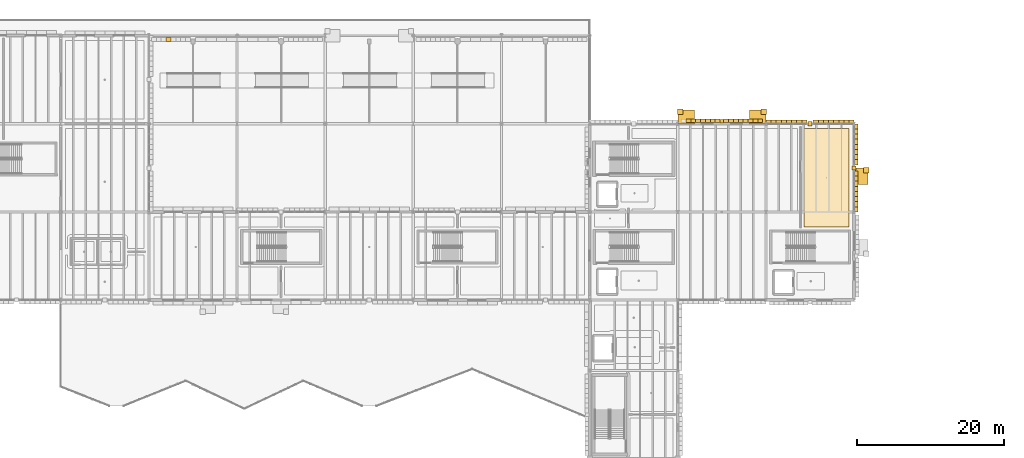
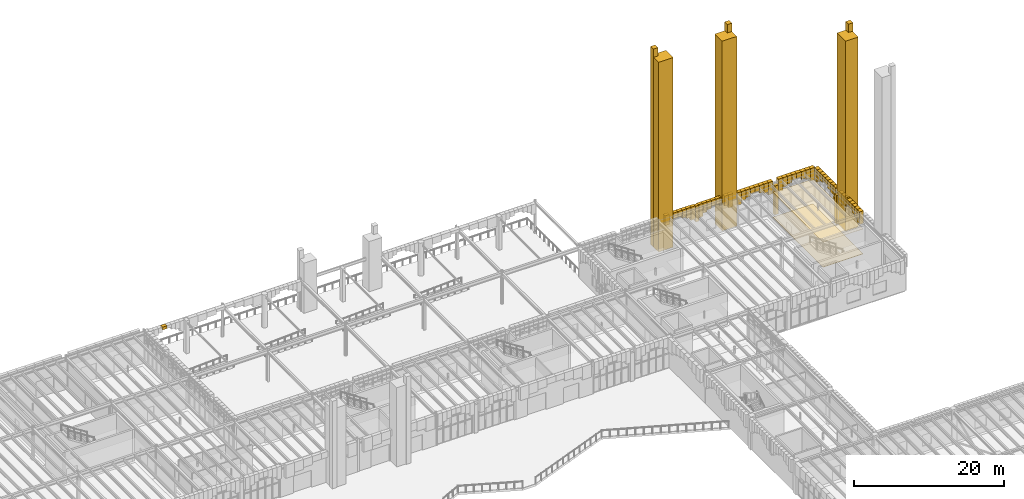
# One storey, part 101 of 103: 59 coverings.
"""IFC4 building model written with IfcOpenShell, lengths in metres."""

from ifc_helpers import new_model, si_unit, direction, frame, origin, place, context, subcontext, project, spatial, polyline, outline, extrude, material, layer, layer_set, type_object, element, save


model = new_model("IFC4")

# Units and contexts
model_context = context("Model", 3, precision=1e-05, world=origin(), true_north=direction((0.0, 1.0)))
body_context = subcontext(model_context, "Body", "Model", "MODEL_VIEW")
ifc_project = project(units=[si_unit("LENGTHUNIT", "METRE"), si_unit("AREAUNIT", "SQUARE_METRE"), si_unit("VOLUMEUNIT", "CUBIC_METRE"), si_unit("PLANEANGLEUNIT", "RADIAN"), si_unit("MASSUNIT", "GRAM", prefix="KILO")], contexts=[model_context])

# Site, building, storey
site_placement = place(None, origin())
site = spatial("IfcSite", under=ifc_project, at=site_placement, CompositionType="ELEMENT")
building_placement = place(site_placement, origin())
building = spatial("IfcBuilding", under=site, at=building_placement, Name="Zlatogorsky Bluff Art Gallery", CompositionType="ELEMENT")
storey_placement = place(building_placement, origin())
storey = spatial("IfcBuildingStorey", under=building, at=storey_placement, Name="L00", CompositionType="ELEMENT", Elevation=0.0)

# Coverings
ifc_material_1 = material(Name="Perforated Gypsum Acoustic Board", Category="gypsum")
ifc_layer_1 = layer(ifc_material_1, 0.0400390625)
ifc_layer_set_1 = layer_set([ifc_layer_1], Name="Acoustic Gallery Ceiling CLG-01")
covering_type_1 = type_object("IfcCoveringType", Name="Acoustic Gallery Ceiling CLG-01", PredefinedType="CEILING", material=ifc_layer_set_1)
covering_1_placement = place(storey_placement, frame((0.0, 0.0, 4.050048828125)))
element("IfcCovering", 1, at=covering_1_placement, inside=storey, type_object=covering_type_1, Name="Courtyard Artists' Studios acoustic ceiling", PredefinedType="CEILING", context=body_context, shape_type="SweptSolid", body=[
    extrude(outline(polyline([(149.16064453125, 93.9599609375), (149.16064453125, 107.330078125), (155.330078125, 107.330078125), (155.330078125, 93.9599609375), (149.16064453125, 93.9599609375)])), origin(), (0.0, 0.0, 1.0), 0.0400390625),
])
ifc_material_2 = material(Name="Honed Red Agra-Tone Quartzitic Sandstone", Category="masonry")
ifc_layer_2 = layer(ifc_material_2, 0.1201171875)
ifc_layer_set_2 = layer_set([ifc_layer_2], Name="Carved Sandstone Cladding CLD-02")
covering_type_2 = type_object("IfcCoveringType", Name="Carved Sandstone Cladding CLD-02", PredefinedType="CLADDING", material=ifc_layer_set_2)
covering_2_placement = place(storey_placement, frame((0.0, 0.0, 2.77001953125)))
element("IfcCovering", 2, at=covering_2_placement, inside=storey, type_object=covering_type_2, Name="Mughal blind-arch sandstone pilaster L00.N.11.9", PredefinedType="CLADDING", context=body_context, shape_type="SweptSolid", body=[
    extrude(outline(polyline([(137.760009765625, 108.080078125), (138.239990234375, 108.080078125), (138.239990234375, 108.56005859375), (137.760009765625, 108.56005859375), (137.760009765625, 108.080078125)])), origin(), (0.0, 0.0, 1.0), 2.590087890625),
])
covering_3_placement = place(storey_placement, frame((0.0, 0.0, 3.743896484375)))
element("IfcCovering", 3, at=covering_3_placement, inside=storey, type_object=covering_type_2, Name="Pointed Mughal arch voussoir spandrel WARCH-L00-N-11-09-A.2", PredefinedType="CLADDING", context=body_context, shape_type="SweptSolid", body=[
    extrude(outline(polyline([(133.112548828125, 108.169921875), (133.77490234375, 108.169921875), (133.77490234375, 108.659912109375), (133.112548828125, 108.659912109375), (133.112548828125, 108.169921875)])), origin(), (0.0, 0.0, 1.0), 1.6162109375),
])
covering_4_placement = place(storey_placement, frame((0.0, 0.0, 4.03662109375)))
element("IfcCovering", 4, at=covering_4_placement, inside=storey, type_object=covering_type_2, Name="Pointed Mughal arch voussoir spandrel WARCH-L00-N-11-09-A.3", PredefinedType="CLADDING", context=body_context, shape_type="SweptSolid", body=[
    extrude(outline(polyline([(133.77490234375, 108.169921875), (134.4375, 108.169921875), (134.4375, 108.659912109375), (133.77490234375, 108.659912109375), (133.77490234375, 108.169921875)])), origin(), (0.0, 0.0, 1.0), 1.323486328125),
])
covering_5_placement = place(storey_placement, frame((0.0, 0.0, 4.405517578125)))
element("IfcCovering", 5, at=covering_5_placement, inside=storey, type_object=covering_type_2, Name="Pointed Mughal arch voussoir spandrel WARCH-L00-N-11-09-A.4", PredefinedType="CLADDING", context=body_context, shape_type="SweptSolid", body=[
    extrude(outline(polyline([(134.4375, 108.169921875), (135.10009765625, 108.169921875), (135.10009765625, 108.659912109375), (134.4375, 108.659912109375), (134.4375, 108.169921875)])), origin(), (0.0, 0.0, 1.0), 0.95458984375),
])
covering_6_placement = place(storey_placement, frame((0.0, 0.0, 4.405517578125)))
element("IfcCovering", 6, at=covering_6_placement, inside=storey, type_object=covering_type_2, Name="Pointed Mughal arch voussoir spandrel WARCH-L00-N-11-09-A.5", PredefinedType="CLADDING", context=body_context, shape_type="SweptSolid", body=[
    extrude(outline(polyline([(135.10009765625, 108.169921875), (135.762451171875, 108.169921875), (135.762451171875, 108.659912109375), (135.10009765625, 108.659912109375), (135.10009765625, 108.169921875)])), origin(), (0.0, 0.0, 1.0), 0.95458984375),
])
covering_7_placement = place(storey_placement, frame((0.0, 0.0, 4.03662109375)))
element("IfcCovering", 7, at=covering_7_placement, inside=storey, type_object=covering_type_2, Name="Pointed Mughal arch voussoir spandrel WARCH-L00-N-11-09-A.6", PredefinedType="CLADDING", context=body_context, shape_type="SweptSolid", body=[
    extrude(outline(polyline([(135.762451171875, 108.169921875), (136.425048828125, 108.169921875), (136.425048828125, 108.659912109375), (135.762451171875, 108.659912109375), (135.762451171875, 108.169921875)])), origin(), (0.0, 0.0, 1.0), 1.323486328125),
])
covering_8_placement = place(storey_placement, frame((0.0, 0.0, 3.743896484375)))
element("IfcCovering", 8, at=covering_8_placement, inside=storey, type_object=covering_type_2, Name="Pointed Mughal arch voussoir spandrel WARCH-L00-N-11-09-A.7", PredefinedType="CLADDING", context=body_context, shape_type="SweptSolid", body=[
    extrude(outline(polyline([(136.425048828125, 108.169921875), (137.08740234375, 108.169921875), (137.08740234375, 108.659912109375), (136.425048828125, 108.659912109375), (136.425048828125, 108.169921875)])), origin(), (0.0, 0.0, 1.0), 1.6162109375),
])
covering_9_placement = place(storey_placement, frame((0.0, 0.0, 3.21240234375)))
element("IfcCovering", 9, at=covering_9_placement, inside=storey, type_object=covering_type_2, Name="Pointed Mughal arch voussoir spandrel WARCH-L00-N-11-09-A.8", PredefinedType="CLADDING", context=body_context, shape_type="SweptSolid", body=[
    extrude(outline(polyline([(137.08740234375, 108.169921875), (137.75, 108.169921875), (137.75, 108.659912109375), (137.08740234375, 108.659912109375), (137.08740234375, 108.169921875)])), origin(), (0.0, 0.0, 1.0), 2.147705078125),
])
covering_10_placement = place(storey_placement, frame((0.0, 0.0, 3.21240234375)))
element("IfcCovering", 10, at=covering_10_placement, inside=storey, type_object=covering_type_2, Name="Pointed Mughal arch voussoir spandrel WARCH-L00-N-11-09-B.1", PredefinedType="CLADDING", context=body_context, shape_type="SweptSolid", body=[
    extrude(outline(polyline([(138.25, 108.169921875), (138.91259765625, 108.169921875), (138.91259765625, 108.659912109375), (138.25, 108.659912109375), (138.25, 108.169921875)])), origin(), (0.0, 0.0, 1.0), 2.147705078125),
])
covering_11_placement = place(storey_placement, frame((0.0, 0.0, 3.743896484375)))
element("IfcCovering", 11, at=covering_11_placement, inside=storey, type_object=covering_type_2, Name="Pointed Mughal arch voussoir spandrel WARCH-L00-N-11-09-B.2", PredefinedType="CLADDING", context=body_context, shape_type="SweptSolid", body=[
    extrude(outline(polyline([(138.91259765625, 108.169921875), (139.574951171875, 108.169921875), (139.574951171875, 108.659912109375), (138.91259765625, 108.659912109375), (138.91259765625, 108.169921875)])), origin(), (0.0, 0.0, 1.0), 1.6162109375),
])
covering_12_placement = place(storey_placement, frame((0.0, 0.0, 4.03662109375)))
element("IfcCovering", 12, at=covering_12_placement, inside=storey, type_object=covering_type_2, Name="Pointed Mughal arch voussoir spandrel WARCH-L00-N-11-09-B.3", PredefinedType="CLADDING", context=body_context, shape_type="SweptSolid", body=[
    extrude(outline(polyline([(139.574951171875, 108.169921875), (140.237548828125, 108.169921875), (140.237548828125, 108.659912109375), (139.574951171875, 108.659912109375), (139.574951171875, 108.169921875)])), origin(), (0.0, 0.0, 1.0), 1.323486328125),
])
covering_13_placement = place(storey_placement, frame((0.0, 0.0, 4.405517578125)))
element("IfcCovering", 13, at=covering_13_placement, inside=storey, type_object=covering_type_2, Name="Pointed Mughal arch voussoir spandrel WARCH-L00-N-11-09-B.4", PredefinedType="CLADDING", context=body_context, shape_type="SweptSolid", body=[
    extrude(outline(polyline([(140.237548828125, 108.169921875), (140.89990234375, 108.169921875), (140.89990234375, 108.659912109375), (140.237548828125, 108.659912109375), (140.237548828125, 108.169921875)])), origin(), (0.0, 0.0, 1.0), 0.95458984375),
])
covering_14_placement = place(storey_placement, frame((0.0, 0.0, 4.405517578125)))
element("IfcCovering", 14, at=covering_14_placement, inside=storey, type_object=covering_type_2, Name="Pointed Mughal arch voussoir spandrel WARCH-L00-N-11-09-B.5", PredefinedType="CLADDING", context=body_context, shape_type="SweptSolid", body=[
    extrude(outline(polyline([(140.89990234375, 108.169921875), (141.5625, 108.169921875), (141.5625, 108.659912109375), (140.89990234375, 108.659912109375), (140.89990234375, 108.169921875)])), origin(), (0.0, 0.0, 1.0), 0.95458984375),
])
covering_15_placement = place(storey_placement, frame((0.0, 0.0, 4.03662109375)))
element("IfcCovering", 15, at=covering_15_placement, inside=storey, type_object=covering_type_2, Name="Pointed Mughal arch voussoir spandrel WARCH-L00-N-11-09-B.6", PredefinedType="CLADDING", context=body_context, shape_type="SweptSolid", body=[
    extrude(outline(polyline([(141.5625, 108.169921875), (142.22509765625, 108.169921875), (142.22509765625, 108.659912109375), (141.5625, 108.659912109375), (141.5625, 108.169921875)])), origin(), (0.0, 0.0, 1.0), 1.323486328125),
])
covering_16_placement = place(storey_placement, frame((0.0, 0.0, 3.743896484375)))
element("IfcCovering", 16, at=covering_16_placement, inside=storey, type_object=covering_type_2, Name="Pointed Mughal arch voussoir spandrel WARCH-L00-N-11-09-B.7", PredefinedType="CLADDING", context=body_context, shape_type="SweptSolid", body=[
    extrude(outline(polyline([(142.22509765625, 108.169921875), (142.887451171875, 108.169921875), (142.887451171875, 108.659912109375), (142.22509765625, 108.659912109375), (142.22509765625, 108.169921875)])), origin(), (0.0, 0.0, 1.0), 1.6162109375),
])
covering_17_placement = place(storey_placement, frame((0.0, 0.0, 3.21240234375)))
element("IfcCovering", 17, at=covering_17_placement, inside=storey, type_object=covering_type_2, Name="Pointed Mughal arch voussoir spandrel WARCH-L00-N-11-09-B.8", PredefinedType="CLADDING", context=body_context, shape_type="SweptSolid", body=[
    extrude(outline(polyline([(142.887451171875, 108.169921875), (143.550048828125, 108.169921875), (143.550048828125, 108.659912109375), (142.887451171875, 108.659912109375), (142.887451171875, 108.169921875)])), origin(), (0.0, 0.0, 1.0), 2.147705078125),
])
covering_18_placement = place(storey_placement, frame((0.0, 0.0, -0.030029296875)))
element("IfcCovering", 18, at=covering_18_placement, inside=storey, type_object=covering_type_2, Name="Mughal dalan central sandstone pier L00 N 12.9", PredefinedType="CLADDING", context=body_context, shape_type="SweptSolid", body=[
    extrude(outline(polyline([(149.719970703125, 107.719970703125), (150.280029296875, 107.719970703125), (150.280029296875, 108.280029296875), (149.719970703125, 108.280029296875), (149.719970703125, 107.719970703125)])), origin(), (0.0, 0.0, 1.0), 4.68994140625),
])
covering_19_placement = place(storey_placement, frame((0.0, 0.0, 3.327880859375)))
element("IfcCovering", 19, at=covering_19_placement, inside=storey, type_object=covering_type_2, Name="Pointed Mughal arch voussoir spandrel ARCH-CW-L00-N-12-09-A.1", PredefinedType="CLADDING", context=body_context, shape_type="SweptSolid", body=[
    extrude(outline(polyline([(150.419921875, 107.969970703125), (151.117431640625, 107.969970703125), (151.117431640625, 108.5400390625), (150.419921875, 108.5400390625), (150.419921875, 107.969970703125)])), origin(), (0.0, 0.0, 1.0), 2.0322265625),
])
covering_20_placement = place(storey_placement, frame((0.0, 0.0, 3.82958984375)))
element("IfcCovering", 20, at=covering_20_placement, inside=storey, type_object=covering_type_2, Name="Pointed Mughal arch voussoir spandrel ARCH-CW-L00-N-12-09-A.2", PredefinedType="CLADDING", context=body_context, shape_type="SweptSolid", body=[
    extrude(outline(polyline([(151.117431640625, 107.969970703125), (151.81494140625, 107.969970703125), (151.81494140625, 108.5400390625), (151.117431640625, 108.5400390625), (151.117431640625, 107.969970703125)])), origin(), (0.0, 0.0, 1.0), 1.530517578125),
])
covering_21_placement = place(storey_placement, frame((0.0, 0.0, 4.1064453125)))
element("IfcCovering", 21, at=covering_21_placement, inside=storey, type_object=covering_type_2, Name="Pointed Mughal arch voussoir spandrel ARCH-CW-L00-N-12-09-A.3", PredefinedType="CLADDING", context=body_context, shape_type="SweptSolid", body=[
    extrude(outline(polyline([(151.81494140625, 107.969970703125), (152.512451171875, 107.969970703125), (152.512451171875, 108.5400390625), (151.81494140625, 108.5400390625), (151.81494140625, 107.969970703125)])), origin(), (0.0, 0.0, 1.0), 1.253662109375),
])
covering_22_placement = place(storey_placement, frame((0.0, 0.0, 4.45458984375)))
element("IfcCovering", 22, at=covering_22_placement, inside=storey, type_object=covering_type_2, Name="Pointed Mughal arch voussoir spandrel ARCH-CW-L00-N-12-09-A.4", PredefinedType="CLADDING", context=body_context, shape_type="SweptSolid", body=[
    extrude(outline(polyline([(152.512451171875, 107.969970703125), (153.2099609375, 107.969970703125), (153.2099609375, 108.5400390625), (152.512451171875, 108.5400390625), (152.512451171875, 107.969970703125)])), origin(), (0.0, 0.0, 1.0), 0.905517578125),
])
covering_23_placement = place(storey_placement, frame((0.0, 0.0, 4.45458984375)))
element("IfcCovering", 23, at=covering_23_placement, inside=storey, type_object=covering_type_2, Name="Pointed Mughal arch voussoir spandrel ARCH-CW-L00-N-12-09-A.5", PredefinedType="CLADDING", context=body_context, shape_type="SweptSolid", body=[
    extrude(outline(polyline([(153.2099609375, 107.969970703125), (153.907470703125, 107.969970703125), (153.907470703125, 108.5400390625), (153.2099609375, 108.5400390625), (153.2099609375, 107.969970703125)])), origin(), (0.0, 0.0, 1.0), 0.905517578125),
])
covering_24_placement = place(storey_placement, frame((0.0, 0.0, 4.1064453125)))
element("IfcCovering", 24, at=covering_24_placement, inside=storey, type_object=covering_type_2, Name="Pointed Mughal arch voussoir spandrel ARCH-CW-L00-N-12-09-A.6", PredefinedType="CLADDING", context=body_context, shape_type="SweptSolid", body=[
    extrude(outline(polyline([(153.907470703125, 107.969970703125), (154.60498046875, 107.969970703125), (154.60498046875, 108.5400390625), (153.907470703125, 108.5400390625), (153.907470703125, 107.969970703125)])), origin(), (0.0, 0.0, 1.0), 1.253662109375),
])
covering_25_placement = place(storey_placement, frame((0.0, 0.0, 3.82958984375)))
element("IfcCovering", 25, at=covering_25_placement, inside=storey, type_object=covering_type_2, Name="Pointed Mughal arch voussoir spandrel ARCH-CW-L00-N-12-09-A.7", PredefinedType="CLADDING", context=body_context, shape_type="SweptSolid", body=[
    extrude(outline(polyline([(154.60498046875, 107.969970703125), (155.302490234375, 107.969970703125), (155.302490234375, 108.5400390625), (154.60498046875, 108.5400390625), (154.60498046875, 107.969970703125)])), origin(), (0.0, 0.0, 1.0), 1.530517578125),
])
covering_26_placement = place(storey_placement, frame((0.0, 0.0, 3.327880859375)))
element("IfcCovering", 26, at=covering_26_placement, inside=storey, type_object=covering_type_2, Name="Pointed Mughal arch voussoir spandrel ARCH-CW-L00-N-12-09-A.8", PredefinedType="CLADDING", context=body_context, shape_type="SweptSolid", body=[
    extrude(outline(polyline([(155.302490234375, 107.969970703125), (156.0, 107.969970703125), (156.0, 108.5400390625), (155.302490234375, 108.5400390625), (155.302490234375, 107.969970703125)])), origin(), (0.0, 0.0, 1.0), 2.0322265625),
])
covering_27_placement = place(storey_placement, frame((0.0, 0.0, 3.327880859375)))
element("IfcCovering", 27, at=covering_27_placement, inside=storey, type_object=covering_type_2, Name="Pointed Mughal arch voussoir spandrel ARCH-CW-L00-N-12-09-B.1", PredefinedType="CLADDING", context=body_context, shape_type="SweptSolid", body=[
    extrude(outline(polyline([(144.0, 107.969970703125), (144.697509765625, 107.969970703125), (144.697509765625, 108.5400390625), (144.0, 108.5400390625), (144.0, 107.969970703125)])), origin(), (0.0, 0.0, 1.0), 2.0322265625),
])
covering_28_placement = place(storey_placement, frame((0.0, 0.0, 3.82958984375)))
element("IfcCovering", 28, at=covering_28_placement, inside=storey, type_object=covering_type_2, Name="Pointed Mughal arch voussoir spandrel ARCH-CW-L00-N-12-09-B.2", PredefinedType="CLADDING", context=body_context, shape_type="SweptSolid", body=[
    extrude(outline(polyline([(144.697509765625, 107.969970703125), (145.39501953125, 107.969970703125), (145.39501953125, 108.5400390625), (144.697509765625, 108.5400390625), (144.697509765625, 107.969970703125)])), origin(), (0.0, 0.0, 1.0), 1.530517578125),
])
covering_29_placement = place(storey_placement, frame((0.0, 0.0, 4.1064453125)))
element("IfcCovering", 29, at=covering_29_placement, inside=storey, type_object=covering_type_2, Name="Pointed Mughal arch voussoir spandrel ARCH-CW-L00-N-12-09-B.3", PredefinedType="CLADDING", context=body_context, shape_type="SweptSolid", body=[
    extrude(outline(polyline([(145.39501953125, 107.969970703125), (146.092529296875, 107.969970703125), (146.092529296875, 108.5400390625), (145.39501953125, 108.5400390625), (145.39501953125, 107.969970703125)])), origin(), (0.0, 0.0, 1.0), 1.253662109375),
])
covering_30_placement = place(storey_placement, frame((0.0, 0.0, 4.45458984375)))
element("IfcCovering", 30, at=covering_30_placement, inside=storey, type_object=covering_type_2, Name="Pointed Mughal arch voussoir spandrel ARCH-CW-L00-N-12-09-B.4", PredefinedType="CLADDING", context=body_context, shape_type="SweptSolid", body=[
    extrude(outline(polyline([(146.092529296875, 107.969970703125), (146.7900390625, 107.969970703125), (146.7900390625, 108.5400390625), (146.092529296875, 108.5400390625), (146.092529296875, 107.969970703125)])), origin(), (0.0, 0.0, 1.0), 0.905517578125),
])
covering_31_placement = place(storey_placement, frame((0.0, 0.0, 4.45458984375)))
element("IfcCovering", 31, at=covering_31_placement, inside=storey, type_object=covering_type_2, Name="Pointed Mughal arch voussoir spandrel ARCH-CW-L00-N-12-09-B.5", PredefinedType="CLADDING", context=body_context, shape_type="SweptSolid", body=[
    extrude(outline(polyline([(146.7900390625, 107.969970703125), (147.487548828125, 107.969970703125), (147.487548828125, 108.5400390625), (146.7900390625, 108.5400390625), (146.7900390625, 107.969970703125)])), origin(), (0.0, 0.0, 1.0), 0.905517578125),
])
covering_32_placement = place(storey_placement, frame((0.0, 0.0, 4.1064453125)))
element("IfcCovering", 32, at=covering_32_placement, inside=storey, type_object=covering_type_2, Name="Pointed Mughal arch voussoir spandrel ARCH-CW-L00-N-12-09-B.6", PredefinedType="CLADDING", context=body_context, shape_type="SweptSolid", body=[
    extrude(outline(polyline([(147.487548828125, 107.969970703125), (148.18505859375, 107.969970703125), (148.18505859375, 108.5400390625), (147.487548828125, 108.5400390625), (147.487548828125, 107.969970703125)])), origin(), (0.0, 0.0, 1.0), 1.253662109375),
])
covering_33_placement = place(storey_placement, frame((0.0, 0.0, 3.82958984375)))
element("IfcCovering", 33, at=covering_33_placement, inside=storey, type_object=covering_type_2, Name="Pointed Mughal arch voussoir spandrel ARCH-CW-L00-N-12-09-B.7", PredefinedType="CLADDING", context=body_context, shape_type="SweptSolid", body=[
    extrude(outline(polyline([(148.18505859375, 107.969970703125), (148.882568359375, 107.969970703125), (148.882568359375, 108.5400390625), (148.18505859375, 108.5400390625), (148.18505859375, 107.969970703125)])), origin(), (0.0, 0.0, 1.0), 1.530517578125),
])
covering_34_placement = place(storey_placement, frame((0.0, 0.0, 3.327880859375)))
element("IfcCovering", 34, at=covering_34_placement, inside=storey, type_object=covering_type_2, Name="Pointed Mughal arch voussoir spandrel ARCH-CW-L00-N-12-09-B.8", PredefinedType="CLADDING", context=body_context, shape_type="SweptSolid", body=[
    extrude(outline(polyline([(148.882568359375, 107.969970703125), (149.580078125, 107.969970703125), (149.580078125, 108.5400390625), (148.882568359375, 108.5400390625), (148.882568359375, 107.969970703125)])), origin(), (0.0, 0.0, 1.0), 2.0322265625),
])
covering_35_placement = place(storey_placement, frame((0.0, 0.0, -0.030029296875)))
element("IfcCovering", 35, at=covering_35_placement, inside=storey, type_object=covering_type_2, Name="Mughal dalan central sandstone pier L00 E 12.9", PredefinedType="CLADDING", context=body_context, shape_type="SweptSolid", body=[
    extrude(outline(polyline([(155.719970703125, 101.719970703125), (156.280029296875, 101.719970703125), (156.280029296875, 102.280029296875), (155.719970703125, 102.280029296875), (155.719970703125, 101.719970703125)])), origin(), (0.0, 0.0, 1.0), 4.68994140625),
])
covering_36_placement = place(storey_placement, frame((0.0, 0.0, 3.327880859375)))
element("IfcCovering", 36, at=covering_36_placement, inside=storey, type_object=covering_type_2, Name="Pointed Mughal arch voussoir spandrel ARCH-CW-L00-E-12-09-A.1", PredefinedType="CLADDING", context=body_context, shape_type="SweptSolid", body=[
    extrude(outline(polyline([(155.969970703125, 96.0), (155.969970703125, 96.697509765625), (156.5400390625, 96.697509765625), (156.5400390625, 96.0), (155.969970703125, 96.0)])), origin(), (0.0, 0.0, 1.0), 2.0322265625),
])
covering_37_placement = place(storey_placement, frame((0.0, 0.0, 3.82958984375)))
element("IfcCovering", 37, at=covering_37_placement, inside=storey, type_object=covering_type_2, Name="Pointed Mughal arch voussoir spandrel ARCH-CW-L00-E-12-09-A.2", PredefinedType="CLADDING", context=body_context, shape_type="SweptSolid", body=[
    extrude(outline(polyline([(155.969970703125, 96.697509765625), (155.969970703125, 97.39501953125), (156.5400390625, 97.39501953125), (156.5400390625, 96.697509765625), (155.969970703125, 96.697509765625)])), origin(), (0.0, 0.0, 1.0), 1.530517578125),
])
covering_38_placement = place(storey_placement, frame((0.0, 0.0, 4.1064453125)))
element("IfcCovering", 38, at=covering_38_placement, inside=storey, type_object=covering_type_2, Name="Pointed Mughal arch voussoir spandrel ARCH-CW-L00-E-12-09-A.3", PredefinedType="CLADDING", context=body_context, shape_type="SweptSolid", body=[
    extrude(outline(polyline([(155.969970703125, 97.39501953125), (155.969970703125, 98.092529296875), (156.5400390625, 98.092529296875), (156.5400390625, 97.39501953125), (155.969970703125, 97.39501953125)])), origin(), (0.0, 0.0, 1.0), 1.253662109375),
])
covering_39_placement = place(storey_placement, frame((0.0, 0.0, 4.45458984375)))
element("IfcCovering", 39, at=covering_39_placement, inside=storey, type_object=covering_type_2, Name="Pointed Mughal arch voussoir spandrel ARCH-CW-L00-E-12-09-A.4", PredefinedType="CLADDING", context=body_context, shape_type="SweptSolid", body=[
    extrude(outline(polyline([(155.969970703125, 98.092529296875), (155.969970703125, 98.7900390625), (156.5400390625, 98.7900390625), (156.5400390625, 98.092529296875), (155.969970703125, 98.092529296875)])), origin(), (0.0, 0.0, 1.0), 0.905517578125),
])
covering_40_placement = place(storey_placement, frame((0.0, 0.0, 4.45458984375)))
element("IfcCovering", 40, at=covering_40_placement, inside=storey, type_object=covering_type_2, Name="Pointed Mughal arch voussoir spandrel ARCH-CW-L00-E-12-09-A.5", PredefinedType="CLADDING", context=body_context, shape_type="SweptSolid", body=[
    extrude(outline(polyline([(155.969970703125, 98.7900390625), (155.969970703125, 99.487548828125), (156.5400390625, 99.487548828125), (156.5400390625, 98.7900390625), (155.969970703125, 98.7900390625)])), origin(), (0.0, 0.0, 1.0), 0.905517578125),
])
covering_41_placement = place(storey_placement, frame((0.0, 0.0, 4.1064453125)))
element("IfcCovering", 41, at=covering_41_placement, inside=storey, type_object=covering_type_2, Name="Pointed Mughal arch voussoir spandrel ARCH-CW-L00-E-12-09-A.6", PredefinedType="CLADDING", context=body_context, shape_type="SweptSolid", body=[
    extrude(outline(polyline([(155.969970703125, 99.487548828125), (155.969970703125, 100.18505859375), (156.5400390625, 100.18505859375), (156.5400390625, 99.487548828125), (155.969970703125, 99.487548828125)])), origin(), (0.0, 0.0, 1.0), 1.253662109375),
])
covering_42_placement = place(storey_placement, frame((0.0, 0.0, 3.82958984375)))
element("IfcCovering", 42, at=covering_42_placement, inside=storey, type_object=covering_type_2, Name="Pointed Mughal arch voussoir spandrel ARCH-CW-L00-E-12-09-A.7", PredefinedType="CLADDING", context=body_context, shape_type="SweptSolid", body=[
    extrude(outline(polyline([(155.969970703125, 100.18505859375), (155.969970703125, 100.882568359375), (156.5400390625, 100.882568359375), (156.5400390625, 100.18505859375), (155.969970703125, 100.18505859375)])), origin(), (0.0, 0.0, 1.0), 1.530517578125),
])
covering_43_placement = place(storey_placement, frame((0.0, 0.0, 3.327880859375)))
element("IfcCovering", 43, at=covering_43_placement, inside=storey, type_object=covering_type_2, Name="Pointed Mughal arch voussoir spandrel ARCH-CW-L00-E-12-09-A.8", PredefinedType="CLADDING", context=body_context, shape_type="SweptSolid", body=[
    extrude(outline(polyline([(155.969970703125, 100.882568359375), (155.969970703125, 101.580078125), (156.5400390625, 101.580078125), (156.5400390625, 100.882568359375), (155.969970703125, 100.882568359375)])), origin(), (0.0, 0.0, 1.0), 2.0322265625),
])
covering_44_placement = place(storey_placement, frame((0.0, 0.0, 3.327880859375)))
element("IfcCovering", 44, at=covering_44_placement, inside=storey, type_object=covering_type_2, Name="Pointed Mughal arch voussoir spandrel ARCH-CW-L00-E-12-09-B.1", PredefinedType="CLADDING", context=body_context, shape_type="SweptSolid", body=[
    extrude(outline(polyline([(155.969970703125, 102.419921875), (155.969970703125, 103.117431640625), (156.5400390625, 103.117431640625), (156.5400390625, 102.419921875), (155.969970703125, 102.419921875)])), origin(), (0.0, 0.0, 1.0), 2.0322265625),
])
covering_45_placement = place(storey_placement, frame((0.0, 0.0, 3.82958984375)))
element("IfcCovering", 45, at=covering_45_placement, inside=storey, type_object=covering_type_2, Name="Pointed Mughal arch voussoir spandrel ARCH-CW-L00-E-12-09-B.2", PredefinedType="CLADDING", context=body_context, shape_type="SweptSolid", body=[
    extrude(outline(polyline([(155.969970703125, 103.117431640625), (155.969970703125, 103.81494140625), (156.5400390625, 103.81494140625), (156.5400390625, 103.117431640625), (155.969970703125, 103.117431640625)])), origin(), (0.0, 0.0, 1.0), 1.530517578125),
])
covering_46_placement = place(storey_placement, frame((0.0, 0.0, 4.1064453125)))
element("IfcCovering", 46, at=covering_46_placement, inside=storey, type_object=covering_type_2, Name="Pointed Mughal arch voussoir spandrel ARCH-CW-L00-E-12-09-B.3", PredefinedType="CLADDING", context=body_context, shape_type="SweptSolid", body=[
    extrude(outline(polyline([(155.969970703125, 103.81494140625), (155.969970703125, 104.512451171875), (156.5400390625, 104.512451171875), (156.5400390625, 103.81494140625), (155.969970703125, 103.81494140625)])), origin(), (0.0, 0.0, 1.0), 1.253662109375),
])
covering_47_placement = place(storey_placement, frame((0.0, 0.0, 4.45458984375)))
element("IfcCovering", 47, at=covering_47_placement, inside=storey, type_object=covering_type_2, Name="Pointed Mughal arch voussoir spandrel ARCH-CW-L00-E-12-09-B.4", PredefinedType="CLADDING", context=body_context, shape_type="SweptSolid", body=[
    extrude(outline(polyline([(155.969970703125, 104.512451171875), (155.969970703125, 105.2099609375), (156.5400390625, 105.2099609375), (156.5400390625, 104.512451171875), (155.969970703125, 104.512451171875)])), origin(), (0.0, 0.0, 1.0), 0.905517578125),
])
covering_48_placement = place(storey_placement, frame((0.0, 0.0, 4.45458984375)))
element("IfcCovering", 48, at=covering_48_placement, inside=storey, type_object=covering_type_2, Name="Pointed Mughal arch voussoir spandrel ARCH-CW-L00-E-12-09-B.5", PredefinedType="CLADDING", context=body_context, shape_type="SweptSolid", body=[
    extrude(outline(polyline([(155.969970703125, 105.2099609375), (155.969970703125, 105.907470703125), (156.5400390625, 105.907470703125), (156.5400390625, 105.2099609375), (155.969970703125, 105.2099609375)])), origin(), (0.0, 0.0, 1.0), 0.905517578125),
])
covering_49_placement = place(storey_placement, frame((0.0, 0.0, 4.1064453125)))
element("IfcCovering", 49, at=covering_49_placement, inside=storey, type_object=covering_type_2, Name="Pointed Mughal arch voussoir spandrel ARCH-CW-L00-E-12-09-B.6", PredefinedType="CLADDING", context=body_context, shape_type="SweptSolid", body=[
    extrude(outline(polyline([(155.969970703125, 105.907470703125), (155.969970703125, 106.60498046875), (156.5400390625, 106.60498046875), (156.5400390625, 105.907470703125), (155.969970703125, 105.907470703125)])), origin(), (0.0, 0.0, 1.0), 1.253662109375),
])
covering_50_placement = place(storey_placement, frame((0.0, 0.0, 3.82958984375)))
element("IfcCovering", 50, at=covering_50_placement, inside=storey, type_object=covering_type_2, Name="Pointed Mughal arch voussoir spandrel ARCH-CW-L00-E-12-09-B.7", PredefinedType="CLADDING", context=body_context, shape_type="SweptSolid", body=[
    extrude(outline(polyline([(155.969970703125, 106.60498046875), (155.969970703125, 107.302490234375), (156.5400390625, 107.302490234375), (156.5400390625, 106.60498046875), (155.969970703125, 106.60498046875)])), origin(), (0.0, 0.0, 1.0), 1.530517578125),
])
covering_51_placement = place(storey_placement, frame((0.0, 0.0, 3.327880859375)))
element("IfcCovering", 51, at=covering_51_placement, inside=storey, type_object=covering_type_2, Name="Pointed Mughal arch voussoir spandrel ARCH-CW-L00-E-12-09-B.8", PredefinedType="CLADDING", context=body_context, shape_type="SweptSolid", body=[
    extrude(outline(polyline([(155.969970703125, 107.302490234375), (155.969970703125, 108.0), (156.5400390625, 108.0), (156.5400390625, 107.302490234375), (155.969970703125, 107.302490234375)])), origin(), (0.0, 0.0, 1.0), 2.0322265625),
])
covering_52_placement = place(storey_placement, origin())
element("IfcCovering", 52, at=covering_52_placement, inside=storey, type_object=covering_type_2, Name="Monumental Pishtaq portal pier PISHTAQ-NE-NORTH.L", PredefinedType="CLADDING", context=body_context, shape_type="SweptSolid", body=[
    extrude(outline(polyline([(132.0, 107.9599609375), (134.25, 107.9599609375), (134.25, 109.89990234375), (132.0, 109.89990234375), (132.0, 107.9599609375)])), origin(), (0.0, 0.0, 1.0), 30.800048828125),
])
covering_53_placement = place(storey_placement, origin())
element("IfcCovering", 53, at=covering_53_placement, inside=storey, type_object=covering_type_2, Name="Monumental Pishtaq portal pier PISHTAQ-NE-NORTH.R", PredefinedType="CLADDING", context=body_context, shape_type="SweptSolid", body=[
    extrude(outline(polyline([(141.75, 107.9599609375), (144.0, 107.9599609375), (144.0, 109.89990234375), (141.75, 109.89990234375), (141.75, 107.9599609375)])), origin(), (0.0, 0.0, 1.0), 30.800048828125),
])
covering_54_placement = place(storey_placement, origin())
element("IfcCovering", 54, at=covering_54_placement, inside=storey, type_object=covering_type_2, Name="Monumental Pishtaq portal pier PISHTAQ-NE-EAST.R", PredefinedType="CLADDING", context=body_context, shape_type="SweptSolid", body=[
    extrude(outline(polyline([(155.9599609375, 99.75), (155.9599609375, 102.0), (157.89990234375, 102.0), (157.89990234375, 99.75), (155.9599609375, 99.75)])), origin(), (0.0, 0.0, 1.0), 30.800048828125),
])
covering_55_placement = place(storey_placement, frame((0.0, 0.0, 4.93994140625)))
element("IfcCovering", 55, at=covering_55_placement, inside=storey, type_object=covering_type_2, Name="Pointed Mughal arch voussoir spandrel DALAN-FC-01.4", PredefinedType="CLADDING", context=body_context, shape_type="SweptSolid", body=[
    extrude(outline(polyline([(62.33740234375, 119.169921875), (63.0, 119.169921875), (63.0, 119.719970703125), (62.33740234375, 119.719970703125), (62.33740234375, 119.169921875)])), origin(), (0.0, 0.0, 1.0), 0.4599609375),
])
ifc_material_3 = material(Name="Polished Ural Marble Terrazzo", Category="masonry")
ifc_layer_3 = layer(ifc_material_3, 0.050048828125)
ifc_layer_set_3 = layer_set([ifc_layer_3], Name="Terrazzo Gallery Flooring FLR-01")
covering_type_3 = type_object("IfcCoveringType", Name="Terrazzo Gallery Flooring FLR-01", PredefinedType="FLOORING", material=ifc_layer_set_3)
covering_56_placement = place(storey_placement, origin())
element("IfcCovering", 56, at=covering_56_placement, inside=storey, type_object=covering_type_3, Name="Courtyard Artists' Studios terrazzo floor finish", PredefinedType="FLOORING", context=body_context, shape_type="SweptSolid", body=[
    extrude(outline(polyline([(149.16064453125, 93.9599609375), (149.16064453125, 107.330078125), (155.330078125, 107.330078125), (155.330078125, 93.9599609375), (149.16064453125, 93.9599609375)])), origin(), (0.0, 0.0, 1.0), 0.050048828125),
])
ifc_material_4 = material(Name="Patinated Architectural Bronze Fin", Category="metal")
ifc_layer_4 = layer(ifc_material_4, 0.110107421875)
ifc_layer_set_4 = layer_set([ifc_layer_4], Name="Vertical Gallery Fin FIN-01")
covering_type_4 = type_object("IfcCoveringType", Name="Vertical Gallery Fin FIN-01", PredefinedType="CLADDING", material=ifc_layer_set_4)
covering_57_placement = place(storey_placement, origin())
element("IfcCovering", 57, at=covering_57_placement, inside=storey, type_object=covering_type_4, Name="Pishtaq corner guldasta turret PISHTAQ-NE-NORTH.L", PredefinedType="CLADDING", context=body_context, shape_type="SweptSolid", body=[
    extrude(outline(polyline([(131.9599609375, 109.2900390625), (132.679931640625, 109.2900390625), (132.679931640625, 110.010009765625), (131.9599609375, 110.010009765625), (131.9599609375, 109.2900390625)])), origin(), (0.0, 0.0, 1.0), 32.14990234375),
])
covering_58_placement = place(storey_placement, origin())
element("IfcCovering", 58, at=covering_58_placement, inside=storey, type_object=covering_type_4, Name="Pishtaq corner guldasta turret PISHTAQ-NE-NORTH.R", PredefinedType="CLADDING", context=body_context, shape_type="SweptSolid", body=[
    extrude(outline(polyline([(143.320068359375, 109.2900390625), (144.0400390625, 109.2900390625), (144.0400390625, 110.010009765625), (143.320068359375, 110.010009765625), (143.320068359375, 109.2900390625)])), origin(), (0.0, 0.0, 1.0), 32.14990234375),
])
covering_59_placement = place(storey_placement, origin())
element("IfcCovering", 59, at=covering_59_placement, inside=storey, type_object=covering_type_4, Name="Pishtaq corner guldasta turret PISHTAQ-NE-EAST.R", PredefinedType="CLADDING", context=body_context, shape_type="SweptSolid", body=[
    extrude(outline(polyline([(157.2900390625, 101.320068359375), (158.010009765625, 101.320068359375), (158.010009765625, 102.0400390625), (157.2900390625, 102.0400390625), (157.2900390625, 101.320068359375)])), origin(), (0.0, 0.0, 1.0), 32.14990234375),
])

save(model, "model.ifc")
